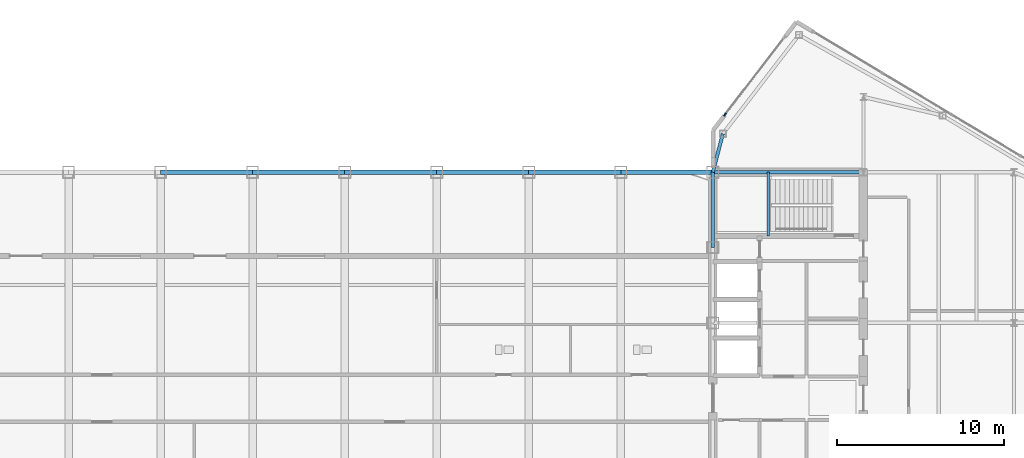
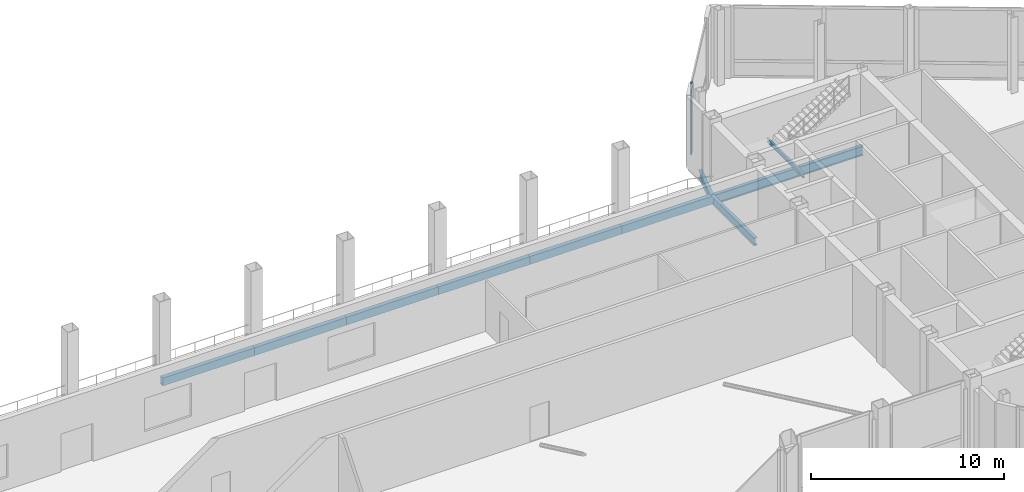
# One storey, part 16 of 28: 10 beams, 1 member, 1 element without a shape of its own.
"""IFC4 building model written with IfcOpenShell, lengths in metres."""

from ifc_helpers import new_model, si_unit, direction, frame, origin, origin_2d, place, context, subcontext, project, spatial, rectangle, hollow_rectangle, i_section, extrude, source, transform, mapped, material, layer, layer_set, material_profile, profile_set, type_object, type_shapes, element, aggregate, save


model = new_model("IFC4")

# Units and contexts
model_context = context("Model", 3, precision=1e-05, world=origin(), true_north=direction((0.0, 1.0)))
body_context = subcontext(model_context, "Body", "Model", "MODEL_VIEW")
ifc_project = project(units=[si_unit("LENGTHUNIT", "METRE"), si_unit("AREAUNIT", "SQUARE_METRE"), si_unit("VOLUMEUNIT", "CUBIC_METRE"), si_unit("PLANEANGLEUNIT", "RADIAN"), si_unit("MASSUNIT", "GRAM", prefix="KILO")], contexts=[model_context])

# Site, building, storey
site_placement = place(None, origin())
site = spatial("IfcSite", under=ifc_project, at=site_placement, CompositionType="ELEMENT")
building_placement = place(site_placement, origin())
building = spatial("IfcBuilding", under=site, at=building_placement, Name="Seokmaru Belvedere", CompositionType="ELEMENT")
storey_placement = place(building_placement, frame((0.0, 0.0, 274.199951171875)))
storey = spatial("IfcBuildingStorey", under=building, at=storey_placement, Name="L72", CompositionType="ELEMENT", Elevation=274.199951171875)

# Beams
ifc_material_1 = material(Name="Steel SM355 (355 MPa)", Category="steel")
ifc_material_profile_1 = material_profile(ifc_material_1, i_section(OverallWidth=0.199951171875, OverallDepth=0.5, WebThickness=0.010009765625, FlangeThickness=0.01611328125, at=origin_2d()), Name="H-500x200x10x16")
ifc_profile_set_1 = profile_set([ifc_material_profile_1], Name="Steel SM355 (355 MPa)")
beam_type_1 = type_object("IfcBeamType", Name="Perimeter Spandrel Beam H-500", PredefinedType="SPANDREL", material=ifc_profile_set_1)
shared_shape_1 = source(origin(), body_context, "Body", "SweptSolid", [
    extrude(i_section(OverallWidth=0.199951171875, OverallDepth=0.5, WebThickness=0.010009765625, FlangeThickness=0.01611328125, at=origin_2d()), origin(), (0.0, 0.0, 1.0), 4.5),
])
beam_1_placement = place(storey_placement, frame((27.5, 9.0, -0.510009765625), z_axis=(0.0, 1.0, 0.0), x_axis=(-1.0, 0.0, 0.0)))
element("IfcBeam", 1, at=beam_1_placement, inside=storey, type_object=beam_type_1, Name="L72 E Portal Spine Spandrel 5", PredefinedType="SPANDREL", context=body_context, shape_type="MappedRepresentation", body=[
    mapped(shared_shape_1, transform((0.0, 0.0, 0.0), scale=1.0)),
])
ifc_material_profile_2 = material_profile(ifc_material_1, i_section(OverallWidth=0.199951171875, OverallDepth=0.60009765625, WebThickness=0.010986328125, FlangeThickness=0.01708984375, at=origin_2d()), Name="H-600x200x11x17")
ifc_profile_set_2 = profile_set([ifc_material_profile_2], Name="Steel SM355 (355 MPa)")
beam_type_2 = type_object("IfcBeamType", Name="Primary Floor Girder H-600", PredefinedType="BEAM", material=ifc_profile_set_2)
shared_shape_2 = source(origin(), body_context, "Body", "SweptSolid", [
    extrude(i_section(OverallWidth=0.199951171875, OverallDepth=0.60009765625, WebThickness=0.010986328125, FlangeThickness=0.01708984375, at=origin_2d()), origin(), (0.0, 0.0, 1.0), 9.0),
])
type_shapes(beam_type_2, [shared_shape_2])
beam_2_placement = place(storey_placement, frame((27.5, 13.5, -0.56005859375), z_axis=(1.0, 0.0, 0.0), x_axis=(0.0, 1.0, 0.0)))
element("IfcBeam", 2, at=beam_2_placement, inside=storey, type_object=beam_type_2, Name="L72 E Core Tie Girder 4", PredefinedType="BEAM", context=body_context, shape_type="MappedRepresentation", body=[
    mapped(shared_shape_2, transform((0.0, 0.0, 0.0), scale=1.0)),
])
shared_shape_3 = source(origin(), body_context, "Body", "SweptSolid", [
    extrude(i_section(OverallWidth=0.199951171875, OverallDepth=0.5, WebThickness=0.010009765625, FlangeThickness=0.01611328125, at=origin_2d()), origin(), (0.0, 0.0, 1.0), 2.373046875),
])
type_shapes(beam_type_1, [shared_shape_1, shared_shape_3])
beam_3_placement = place(storey_placement, frame((28.10009765625, 15.7958984375, -0.510009765625), z_axis=(-0.252882558842, -0.967496982648, 0.0), x_axis=(0.967496982648, -0.252882558842, 0.0)))
element("IfcBeam", 3, at=beam_3_placement, inside=storey, type_object=beam_type_1, Name="L72 E Shoulder Spine Spandrel N", PredefinedType="SPANDREL", context=body_context, shape_type="MappedRepresentation", body=[
    mapped(shared_shape_3, transform((0.0, 0.0, 0.0), scale=1.0)),
])
ifc_material_profile_3 = material_profile(ifc_material_1, hollow_rectangle(XDim=0.25, YDim=0.5, WallThickness=0.013916015625, at=origin_2d()), Name="RHS-500x250x14")
ifc_profile_set_3 = profile_set([ifc_material_profile_3], Name="Steel SM355 (355 MPa)")
beam_type_3 = type_object("IfcBeamType", Name="Bridge Edge Spandrel RHS-500", PredefinedType="SPANDREL", material=ifc_profile_set_3)
shared_shape_4 = source(origin(), body_context, "Body", "SweptSolid", [
    extrude(hollow_rectangle(XDim=0.25, YDim=0.5, WallThickness=0.013916015625, at=origin_2d()), origin(), (0.0, 0.0, 1.0), 5.5),
])
type_shapes(beam_type_3, [shared_shape_4])
for number, where, z_axis, x_axis, name in (
    (4, (-5.5, 13.5, -0.510009765625), (1.0, 0.0, 0.0), (0.0, 1.0, 0.0), "L72 Sky-Gate Bridge Edge Girder N-05"),
    (5, (0.0, 13.5, -0.510009765625), (1.0, 0.0, 0.0), (0.0, 1.0, 0.0), "L72 Sky-Gate Bridge Edge Girder N-06"),
    (6, (5.5, 13.5, -0.510009765625), (1.0, 0.0, 0.0), (0.0, 1.0, 0.0), "L72 Sky-Gate Bridge Edge Girder N-07"),
    (7, (11.0, 13.5, -0.510009765625), (1.0, 0.0, 0.0), (0.0, 1.0, 0.0), "L72 Sky-Gate Bridge Edge Girder N-08"),
    (8, (16.5, 13.5, -0.510009765625), (1.0, 0.0, 0.0), (0.0, 1.0, 0.0), "L72 Sky-Gate Bridge Edge Girder N-09"),
    (9, (22.0, 13.5, -0.510009765625), (1.0, 0.0, 0.0), (0.0, 1.0, 0.0), "L72 Sky-Gate Bridge Edge Girder N-10"),
):
    element("IfcBeam", number, at=place(storey_placement, frame(where, z_axis=z_axis, x_axis=x_axis)), inside=storey, type_object=beam_type_3, Name=name, PredefinedType="SPANDREL", context=body_context, shape_type="MappedRepresentation", body=[
        mapped(shared_shape_4, transform((0.0, 0.0, 0.0), scale=1.0)),
    ])

# Curtain wall, member
ifc_material_2 = material(Name="Bronze Triple Insulating Glass", Category="glass")
ifc_layer = layer(ifc_material_2, 0.219970703125)
ifc_layer_set = layer_set([ifc_layer], Name="Bronze Triple Insulating Glass")
curtain_wall_type = type_object("IfcCurtainWallType", Name="Sky-Gate Bridge Panorama Curtain Wall System CW-6", PredefinedType="NOTDEFINED", material=ifc_layer_set)
curtain_wall_placement = place(storey_placement, origin())
curtain_wall = element("IfcCurtainWall", 10, at=curtain_wall_placement, inside=storey, type_object=curtain_wall_type, Name="L72 Curtain Wall EF4", PredefinedType="NOTDEFINED")
ifc_material_3 = material(Name="Anodised Bronze Aluminium", Category="aluminium")
ifc_material_profile_4 = material_profile(ifc_material_3, rectangle(XDim=0.080078125, YDim=0.219970703125, at=origin_2d()), Name="CW-M-80x220")
ifc_profile_set_4 = profile_set([ifc_material_profile_4], Name="Anodised Bronze Aluminium")
member_type = type_object("IfcMemberType", Name="Bronze Unitised Mullion 80x220", PredefinedType="MULLION", material=ifc_profile_set_4)
shared_shape_5 = source(origin(), body_context, "Body", "SweptSolid", [
    extrude(rectangle(XDim=0.080078125, YDim=0.219970703125, at=origin_2d()), origin(), (0.0, 0.0, 1.0), 4.52001953125),
])
type_shapes(member_type, [shared_shape_5])
member_placement = place(storey_placement, frame((28.2255859375, 16.943115234375, 0.0), z_axis=(0.0, 0.0, 1.0), x_axis=(0.792631353244, -0.609701187349, 0.0)))
member = element("IfcMember", 11, at=member_placement, type_object=member_type, Name="CW:L72:EF4 Mullion 2", PredefinedType="MULLION", context=body_context, shape_type="MappedRepresentation", body=[
    mapped(shared_shape_5, transform((0.0, 0.0, 0.0), scale=1.0)),
])
aggregate(curtain_wall, [member])

# Beam
ifc_material_profile_5 = material_profile(ifc_material_1, i_section(OverallWidth=0.125, OverallDepth=0.25, WebThickness=0.006103515625, FlangeThickness=0.009033203125, at=origin_2d()), Name="H-250x125x6x9")
ifc_profile_set_5 = profile_set([ifc_material_profile_5], Name="Steel SM355 (355 MPa)")
beam_type_4 = type_object("IfcBeamType", Name="Stair Mid-Landing Support Beam H-250", PredefinedType="JOIST", material=ifc_profile_set_5)
shared_shape_6 = source(origin(), body_context, "Body", "SweptSolid", [
    extrude(i_section(OverallWidth=0.125, OverallDepth=0.25, WebThickness=0.006103515625, FlangeThickness=0.009033203125, at=origin_2d()), origin(), (0.0, 0.0, 1.0), 3.800048828125),
])
type_shapes(beam_type_4, [shared_shape_6])
beam_4_placement = place(storey_placement, frame((30.81005859375, 9.699951171875, 2.074951171875), z_axis=(0.0, 1.0, 0.0), x_axis=(-1.0, 0.0, 0.0)))
element("IfcBeam", 12, at=beam_4_placement, inside=storey, type_object=beam_type_4, Name="L72 Stair ST-E2 Mid-Landing Support Beam 1", PredefinedType="JOIST", context=body_context, shape_type="MappedRepresentation", body=[
    mapped(shared_shape_6, transform((0.0, 0.0, 0.0), scale=1.0)),
])

save(model, "model.ifc")
